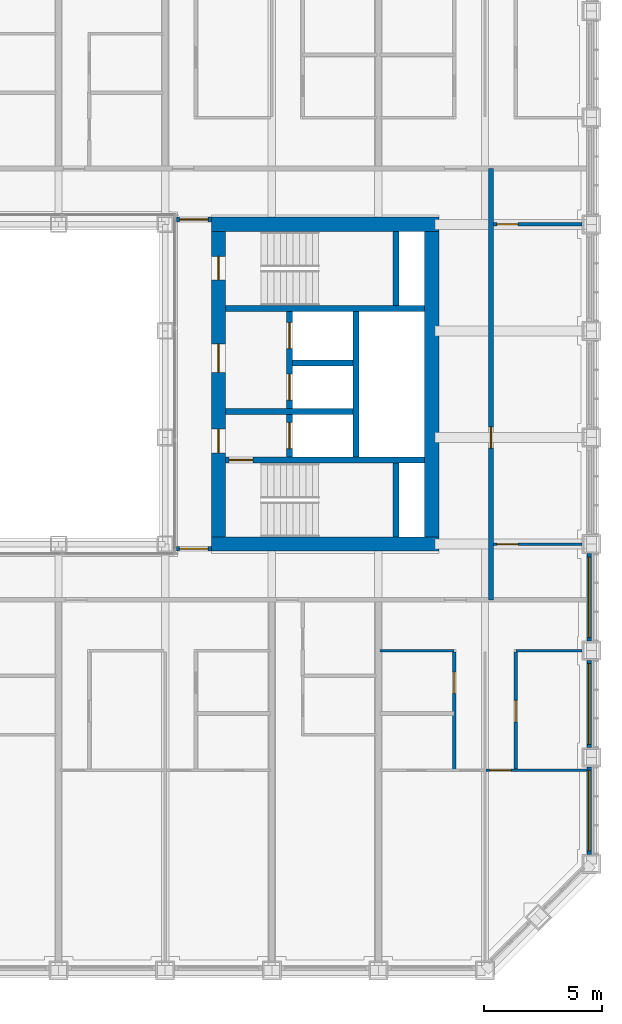
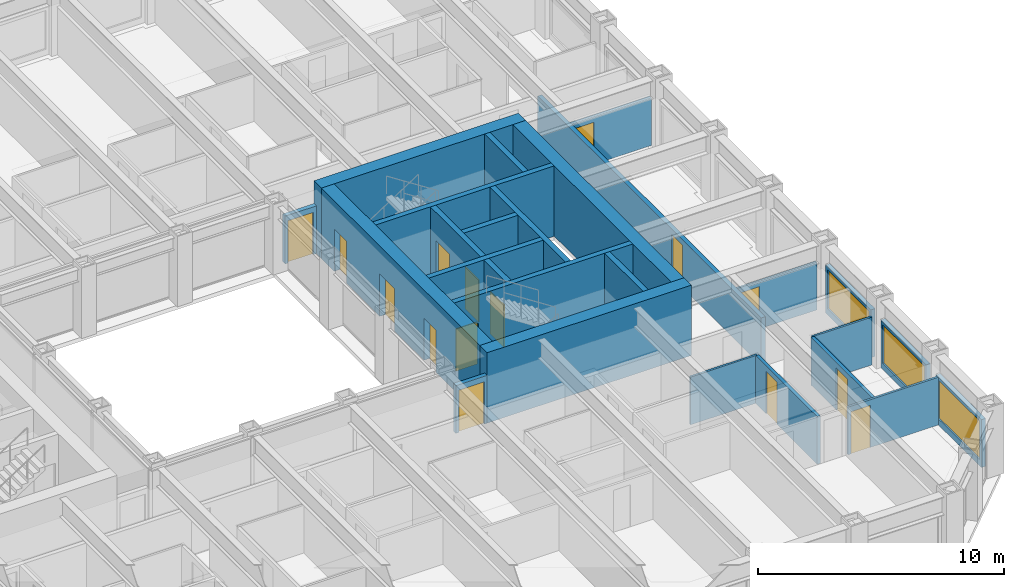
# One storey, part 12 of 21: 25 walls, 15 doors, 3 windows, 18 openings.
"""IFC4 building model written with IfcOpenShell, lengths in metres."""

from ifc_helpers import new_model, si_unit, direction, frame, frame_2d, origin, place, context, subcontext, project, spatial, rectangle, extrude, material, layer, layer_set, type_object, element, fill, save


model = new_model("IFC4")

# Units and contexts
model_context = context("Model", 3, precision=1e-05, world=origin(), true_north=direction((0.0, 1.0)))
body_context = subcontext(model_context, "Body", "Model", "MODEL_VIEW")
ifc_project = project(units=[si_unit("LENGTHUNIT", "METRE"), si_unit("AREAUNIT", "SQUARE_METRE"), si_unit("VOLUMEUNIT", "CUBIC_METRE"), si_unit("PLANEANGLEUNIT", "RADIAN"), si_unit("MASSUNIT", "GRAM", prefix="KILO")], contexts=[model_context])

# Site, building, storey
site_placement = place(None, origin())
site = spatial("IfcSite", under=ifc_project, at=site_placement, CompositionType="ELEMENT")
building_placement = place(site_placement, origin())
building = spatial("IfcBuilding", under=site, at=building_placement, Name="Msasa Ring Tower", CompositionType="ELEMENT")
storey_placement = place(building_placement, frame((0.0, 0.0, 44.0)))
storey = spatial("IfcBuildingStorey", under=building, at=storey_placement, Name="L10", CompositionType="ELEMENT", Elevation=44.0)

# Walls
ifc_material_1 = material(Name="Concrete C60/75", Category="concrete")
ifc_layer_1 = layer(ifc_material_1, 0.60009765625)
ifc_layer_set_1 = layer_set([ifc_layer_1], Name="CW1 CORE WALL 600")
wall_type_1 = type_object("IfcWallType", Name="CW1 CORE WALL 600", PredefinedType="SHEAR", material=ifc_layer_set_1)
for number, where, z_axis, x_axis, name in (
    (1, (8.699951171875, -6.75, 0.0), (0.0, 0.0, 1.0), (1.0, 0.0, 0.0), "E core wall S L10"),
    (2, (8.699951171875, 6.75, 0.0), (0.0, 0.0, 1.0), (1.0, 0.0, 0.0), "E core wall N L10"),
):
    element("IfcWall", number, at=place(storey_placement, frame(where, z_axis=z_axis, x_axis=x_axis)), inside=storey, type_object=wall_type_1, Name=name, PredefinedType="SHEAR", context=body_context, shape_type="SweptSolid", body=[
        extrude(rectangle(XDim=9.60009765625, YDim=0.60009765625, at=frame_2d((4.800048828125, 0.0))), origin(), (0.0, 0.0, 1.0), 3.5),
    ])

# Wall, openings, doors
wall_1_placement = place(storey_placement, frame((9.0, -6.449951171875, 0.0), z_axis=(0.0, 0.0, 1.0), x_axis=(0.0, 1.0, 0.0)))
wall_1 = element("IfcWall", 3, at=wall_1_placement, inside=storey, type_object=wall_type_1, Name="E core wall W L10", PredefinedType="SHEAR", context=body_context, shape_type="SweptSolid", body=[
    extrude(rectangle(XDim=12.89990234375, YDim=0.60009765625, at=frame_2d((6.449951171875, 0.0))), origin(), (0.0, 0.0, 1.0), 3.5),
])
opening_1_placement = place(wall_1_placement, frame((3.550048828125, 0.0, 0.0)))
opening_1 = element("IfcOpeningElement", 4, at=opening_1_placement, cuts=wall_1, Name="Opening RB-046", PredefinedType="OPENING", context=body_context, shape_type="SweptSolid", body=[
    extrude(rectangle(XDim=1.0, YDim=2.10009765625, at=frame_2d((0.5, 1.050048828125))), frame((0.0, 0.31005859375, 0.0), z_axis=(0.0, -1.0, 0.0), x_axis=(1.0, 0.0, 0.0)), (0.0, 0.0, 1.0), 0.6201171875),
])
opening_2_placement = place(wall_1_placement, frame((6.949951171875, 0.0, 0.0)))
opening_2 = element("IfcOpeningElement", 5, at=opening_2_placement, cuts=wall_1, Name="Opening RB-041", PredefinedType="OPENING", context=body_context, shape_type="SweptSolid", body=[
    extrude(rectangle(XDim=1.199951171875, YDim=2.10009765625, at=frame_2d((0.60009765625, 1.050048828125))), frame((0.0, 0.31005859375, 0.0), z_axis=(0.0, -1.0, 0.0), x_axis=(1.0, 0.0, 0.0)), (0.0, 0.0, 1.0), 0.6201171875),
])
opening_3_placement = place(wall_1_placement, frame((10.85009765625, 0.0, 0.0)))
opening_3 = element("IfcOpeningElement", 6, at=opening_3_placement, cuts=wall_1, Name="Opening RB-039", PredefinedType="OPENING", context=body_context, shape_type="SweptSolid", body=[
    extrude(rectangle(XDim=1.0, YDim=2.10009765625, at=frame_2d((0.5, 1.050048828125))), frame((0.0, 0.31005859375, 0.0), z_axis=(0.0, -1.0, 0.0), x_axis=(1.0, 0.0, 0.0)), (0.0, 0.0, 1.0), 0.6201171875),
])
ifc_material_2 = material(Name="Timber door leaf in a steel frame", Category="steel")
door_type_1 = type_object("IfcDoorType", Name="D4 LOBBY DOOR 1000x2100", OperationType="SINGLE_SWING_LEFT", PredefinedType="DOOR", material=ifc_material_2)
door_1_placement = place(opening_1_placement, origin())
door_1 = element("IfcDoor", 7, at=door_1_placement, inside=storey, type_object=door_type_1, Name="Door L10-EFFL", OperationType="SINGLE_SWING_LEFT", OverallHeight=2.10009765625, OverallWidth=1.0, PredefinedType="DOOR", context=body_context, shape_type="SweptSolid", body=[
    extrude(rectangle(XDim=1.0, YDim=2.10009765625, at=frame_2d((0.5, 1.050048828125))), frame((0.0, 0.02490234375, 0.0), z_axis=(0.0, -1.0, 0.0), x_axis=(1.0, 0.0, 0.0)), (0.0, 0.0, 1.0), 0.050048828125),
])
fill(opening_1, door_1)
ifc_material_3 = material(Name="Timber door leaf in a steel frame", Category="steel")
door_type_2 = type_object("IfcDoorType", Name="D5 WIDE LOBBY DOOR 1200x2100", OperationType="SINGLE_SWING_LEFT", PredefinedType="DOOR", material=ifc_material_3)
door_2_placement = place(opening_2_placement, origin())
door_2 = element("IfcDoor", 8, at=door_2_placement, inside=storey, type_object=door_type_2, Name="Door L10-ELL", OperationType="SINGLE_SWING_RIGHT", OverallHeight=2.10009765625, OverallWidth=1.199951171875, PredefinedType="DOOR", context=body_context, shape_type="SweptSolid", body=[
    extrude(rectangle(XDim=1.199951171875, YDim=2.10009765625, at=frame_2d((0.60009765625, 1.050048828125))), frame((0.0, 0.02490234375, 0.0), z_axis=(0.0, -1.0, 0.0), x_axis=(1.0, 0.0, 0.0)), (0.0, 0.0, 1.0), 0.050048828125),
])
fill(opening_2, door_2)
ifc_material_4 = material(Name="Timber door leaf in a steel frame", Category="steel")
door_type_3 = type_object("IfcDoorType", Name="D6 STAIR DOOR 1000x2100", OperationType="SINGLE_SWING_LEFT", PredefinedType="DOOR", material=ifc_material_4)
door_3_placement = place(opening_3_placement, origin())
door_3 = element("IfcDoor", 9, at=door_3_placement, inside=storey, type_object=door_type_3, Name="Door L10-ESTB", OperationType="SINGLE_SWING_RIGHT", OverallHeight=2.10009765625, OverallWidth=1.0, PredefinedType="DOOR", context=body_context, shape_type="SweptSolid", body=[
    extrude(rectangle(XDim=1.0, YDim=2.10009765625, at=frame_2d((0.5, 1.050048828125))), frame((0.0, 0.02490234375, 0.0), z_axis=(0.0, -1.0, 0.0), x_axis=(1.0, 0.0, 0.0)), (0.0, 0.0, 1.0), 0.050048828125),
])
fill(opening_3, door_3)

# Wall
wall_2_placement = place(storey_placement, frame((18.0, -6.449951171875, 0.0), z_axis=(0.0, 0.0, 1.0), x_axis=(0.0, 1.0, 0.0)))
element("IfcWall", 10, at=wall_2_placement, inside=storey, type_object=wall_type_1, Name="E core wall E L10", PredefinedType="SHEAR", context=body_context, shape_type="SweptSolid", body=[
    extrude(rectangle(XDim=12.89990234375, YDim=0.60009765625, at=frame_2d((6.449951171875, 0.0))), origin(), (0.0, 0.0, 1.0), 3.5),
])

# Wall, opening, door
ifc_material_5 = material(Name="Concrete C60/75", Category="concrete")
ifc_layer_2 = layer(ifc_material_5, 0.25)
ifc_layer_set_2 = layer_set([ifc_layer_2], Name="CW4 CORE INNER WALL 250")
wall_type_2 = type_object("IfcWallType", Name="CW4 CORE INNER WALL 250", PredefinedType="SHEAR", material=ifc_layer_set_2)
wall_3_placement = place(storey_placement, frame((9.300048828125, -3.199951171875, 0.0), z_axis=(0.0, 0.0, 1.0), x_axis=(1.0, 0.0, 0.0)))
wall_3 = element("IfcWall", 11, at=wall_3_placement, inside=storey, type_object=wall_type_2, Name="E core wall STAIRA L10", PredefinedType="SHEAR", context=body_context, shape_type="SweptSolid", body=[
    extrude(rectangle(XDim=8.39990234375, YDim=0.25, at=frame_2d((4.199951171875, 0.0))), origin(), (0.0, 0.0, 1.0), 3.5),
])
opening_4_placement = place(wall_3_placement, frame((0.14990234375, 0.0, 0.0)))
opening_4 = element("IfcOpeningElement", 12, at=opening_4_placement, cuts=wall_3, Name="Opening RB-048", PredefinedType="OPENING", context=body_context, shape_type="SweptSolid", body=[
    extrude(rectangle(XDim=1.0, YDim=2.10009765625, at=frame_2d((0.5, 1.050048828125))), frame((0.0, 0.135009765625, 0.0), z_axis=(0.0, -1.0, 0.0), x_axis=(1.0, 0.0, 0.0)), (0.0, 0.0, 1.0), 0.27001953125),
])
door_4_placement = place(opening_4_placement, origin())
door_4 = element("IfcDoor", 13, at=door_4_placement, inside=storey, type_object=door_type_3, Name="Door L10-ESTA", OperationType="SINGLE_SWING_LEFT", OverallHeight=2.10009765625, OverallWidth=1.0, PredefinedType="DOOR", context=body_context, shape_type="SweptSolid", body=[
    extrude(rectangle(XDim=1.0, YDim=2.10009765625, at=frame_2d((0.5, 1.050048828125))), frame((0.0, 0.02490234375, 0.0), z_axis=(0.0, -1.0, 0.0), x_axis=(1.0, 0.0, 0.0)), (0.0, 0.0, 1.0), 0.050048828125),
])
fill(opening_4, door_4)

# Walls
wall_4_placement = place(storey_placement, frame((9.300048828125, 3.199951171875, 0.0), z_axis=(0.0, 0.0, 1.0), x_axis=(1.0, 0.0, 0.0)))
element("IfcWall", 14, at=wall_4_placement, inside=storey, type_object=wall_type_2, Name="E core wall STAIRB L10", PredefinedType="SHEAR", context=body_context, shape_type="SweptSolid", body=[
    extrude(rectangle(XDim=8.39990234375, YDim=0.25, at=frame_2d((4.199951171875, 0.0))), origin(), (0.0, 0.0, 1.0), 3.5),
])
for number, where, z_axis, x_axis, name in (
    (15, (16.5, -6.449951171875, 0.0), (0.0, 0.0, 1.0), (0.0, 1.0, 0.0), "E core wall RISERA L10"),
    (16, (16.5, 3.324951171875, 0.0), (0.0, 0.0, 1.0), (0.0, 1.0, 0.0), "E core wall RISERB L10"),
):
    element("IfcWall", number, at=place(storey_placement, frame(where, z_axis=z_axis, x_axis=x_axis)), inside=storey, type_object=wall_type_2, Name=name, PredefinedType="SHEAR", context=body_context, shape_type="SweptSolid", body=[
        extrude(rectangle(XDim=3.125, YDim=0.25, at=frame_2d((1.5625, 0.0))), origin(), (0.0, 0.0, 1.0), 3.5),
    ])
wall_5_placement = place(storey_placement, frame((9.300048828125, -1.14990234375, 0.0), z_axis=(0.0, 0.0, 1.0), x_axis=(1.0, 0.0, 0.0)))
element("IfcWall", 17, at=wall_5_placement, inside=storey, type_object=wall_type_2, Name="E core wall FFL L10", PredefinedType="SHEAR", context=body_context, shape_type="SweptSolid", body=[
    extrude(rectangle(XDim=5.375, YDim=0.25, at=frame_2d((2.6875, 0.0))), origin(), (0.0, 0.0, 1.0), 3.5),
])

# Wall, openings, doors
wall_6_placement = place(storey_placement, frame((12.0, -3.074951171875, 0.0), z_axis=(0.0, 0.0, 1.0), x_axis=(0.0, 1.0, 0.0)))
wall_6 = element("IfcWall", 18, at=wall_6_placement, inside=storey, type_object=wall_type_2, Name="E core wall LOBBY L10", PredefinedType="SHEAR", context=body_context, shape_type="SweptSolid", body=[
    extrude(rectangle(XDim=6.14990234375, YDim=0.25, at=frame_2d((3.074951171875, 0.0))), origin(), (0.0, 0.0, 1.0), 3.5),
])
opening_5_placement = place(wall_6_placement, frame((0.35009765625, 0.0, 0.0)))
opening_5 = element("IfcOpeningElement", 19, at=opening_5_placement, cuts=wall_6, Name="Opening LD1", PredefinedType="OPENING", context=body_context, shape_type="SweptSolid", body=[
    extrude(rectangle(XDim=1.10009765625, YDim=2.10009765625, at=frame_2d((0.550048828125, 1.050048828125))), frame((0.0, 0.135009765625, 0.0), z_axis=(0.0, -1.0, 0.0), x_axis=(1.0, 0.0, 0.0)), (0.0, 0.0, 1.0), 0.27001953125),
])
opening_6_placement = place(wall_6_placement, frame((2.39990234375, 0.0, 0.0)))
opening_6 = element("IfcOpeningElement", 20, at=opening_6_placement, cuts=wall_6, Name="Opening LD1", PredefinedType="OPENING", context=body_context, shape_type="SweptSolid", body=[
    extrude(rectangle(XDim=1.10009765625, YDim=2.10009765625, at=frame_2d((0.550048828125, 1.050048828125))), frame((0.0, 0.135009765625, 0.0), z_axis=(0.0, -1.0, 0.0), x_axis=(1.0, 0.0, 0.0)), (0.0, 0.0, 1.0), 0.27001953125),
])
opening_7_placement = place(wall_6_placement, frame((4.574951171875, 0.0, 0.0)))
opening_7 = element("IfcOpeningElement", 21, at=opening_7_placement, cuts=wall_6, Name="Opening LD1", PredefinedType="OPENING", context=body_context, shape_type="SweptSolid", body=[
    extrude(rectangle(XDim=1.10009765625, YDim=2.10009765625, at=frame_2d((0.550048828125, 1.050048828125))), frame((0.0, 0.135009765625, 0.0), z_axis=(0.0, -1.0, 0.0), x_axis=(1.0, 0.0, 0.0)), (0.0, 0.0, 1.0), 0.27001953125),
])
ifc_material_6 = material(Name="Stainless steel lift landing door", Category="steel")
door_type_4 = type_object("IfcDoorType", Name="LD1 LIFT LANDING DOOR 1100x2100", OperationType="DOUBLE_DOOR_SLIDING", PredefinedType="DOOR", material=ifc_material_6)
door_5_placement = place(opening_5_placement, origin())
door_5 = element("IfcDoor", 22, at=door_5_placement, inside=storey, type_object=door_type_4, Name="Lift landing door FL-E L10", OperationType="DOUBLE_DOOR_SLIDING", OverallHeight=2.10009765625, OverallWidth=1.10009765625, PredefinedType="DOOR", context=body_context, shape_type="SweptSolid", body=[
    extrude(rectangle(XDim=1.10009765625, YDim=2.10009765625, at=frame_2d((0.550048828125, 1.050048828125))), frame((0.0, 0.02490234375, 0.0), z_axis=(0.0, -1.0, 0.0), x_axis=(1.0, 0.0, 0.0)), (0.0, 0.0, 1.0), 0.050048828125),
])
fill(opening_5, door_5)
door_6_placement = place(opening_6_placement, origin())
door_6 = element("IfcDoor", 23, at=door_6_placement, inside=storey, type_object=door_type_4, Name="Lift landing door PL-R1 L10", OperationType="DOUBLE_DOOR_SLIDING", OverallHeight=2.10009765625, OverallWidth=1.10009765625, PredefinedType="DOOR", context=body_context, shape_type="SweptSolid", body=[
    extrude(rectangle(XDim=1.10009765625, YDim=2.10009765625, at=frame_2d((0.550048828125, 1.050048828125))), frame((0.0, 0.02490234375, 0.0), z_axis=(0.0, -1.0, 0.0), x_axis=(1.0, 0.0, 0.0)), (0.0, 0.0, 1.0), 0.050048828125),
])
fill(opening_6, door_6)
door_7_placement = place(opening_7_placement, origin())
door_7 = element("IfcDoor", 24, at=door_7_placement, inside=storey, type_object=door_type_4, Name="Lift landing door PL-R2 L10", OperationType="DOUBLE_DOOR_SLIDING", OverallHeight=2.10009765625, OverallWidth=1.10009765625, PredefinedType="DOOR", context=body_context, shape_type="SweptSolid", body=[
    extrude(rectangle(XDim=1.10009765625, YDim=2.10009765625, at=frame_2d((0.550048828125, 1.050048828125))), frame((0.0, 0.02490234375, 0.0), z_axis=(0.0, -1.0, 0.0), x_axis=(1.0, 0.0, 0.0)), (0.0, 0.0, 1.0), 0.050048828125),
])
fill(opening_7, door_7)

# Walls
wall_7_placement = place(storey_placement, frame((14.800048828125, -3.074951171875, 0.0), z_axis=(0.0, 0.0, 1.0), x_axis=(0.0, 1.0, 0.0)))
element("IfcWall", 25, at=wall_7_placement, inside=storey, type_object=wall_type_2, Name="E core wall SHAFT L10", PredefinedType="SHEAR", context=body_context, shape_type="SweptSolid", body=[
    extrude(rectangle(XDim=6.14990234375, YDim=0.25, at=frame_2d((3.074951171875, 0.0))), origin(), (0.0, 0.0, 1.0), 3.5),
])
wall_8_placement = place(storey_placement, frame((12.125, 0.89990234375, 0.0), z_axis=(0.0, 0.0, 1.0), x_axis=(1.0, 0.0, 0.0)))
element("IfcWall", 26, at=wall_8_placement, inside=storey, type_object=wall_type_2, Name="E core wall LIFT1 L10", PredefinedType="SHEAR", context=body_context, shape_type="SweptSolid", body=[
    extrude(rectangle(XDim=2.550048828125, YDim=0.25, at=frame_2d((1.27490234375, 0.0))), origin(), (0.0, 0.0, 1.0), 3.5),
])

# Wall, opening, window
ifc_material_7 = material(Name="Terracotta rainscreen on blockwork", Category="masonry")
ifc_layer_3 = layer(ifc_material_7, 0.199951171875)
ifc_layer_set_3 = layer_set([ifc_layer_3], Name="FW1 TERRACOTTA-LINED INFILL BAY WALL 200")
wall_type_3 = type_object("IfcWallType", Name="FW1 TERRACOTTA-LINED INFILL BAY WALL 200", PredefinedType="SOLIDWALL", material=ifc_layer_set_3)
wall_9_placement = place(storey_placement, frame((24.64990234375, -19.844970703125, 0.0), z_axis=(0.0, 0.0, 1.0), x_axis=(0.0, 1.0, 0.0)))
wall_9 = element("IfcWall", 27, at=wall_9_placement, inside=storey, type_object=wall_type_3, Name="Infill bay wall E L10 11", PredefinedType="SOLIDWALL", context=body_context, shape_type="SweptSolid", body=[
    extrude(rectangle(XDim=3.68994140625, YDim=0.199951171875, at=frame_2d((1.844970703125, 0.0))), origin(), (0.0, 0.0, 1.0), 2.37890625),
])
opening_8_placement = place(wall_9_placement, frame((0.14501953125, 0.0, 0.300048828125)))
opening_8 = element("IfcOpeningElement", 28, at=opening_8_placement, cuts=wall_9, Name="Opening WN1", PredefinedType="OPENING", context=body_context, shape_type="SweptSolid", body=[
    extrude(rectangle(XDim=3.39990234375, YDim=1.928955078125, at=frame_2d((1.699951171875, 0.96435546875))), frame((0.0, 0.10986328125, 0.0), z_axis=(0.0, -1.0, 0.0), x_axis=(1.0, 0.0, 0.0)), (0.0, 0.0, 1.0), 0.219970703125),
])
ifc_material_8 = material(Name="Aluminium frame with clear glass", Category="aluminium")
window_type = type_object("IfcWindowType", Name="WN1 RESIDENCE WINDOW 3400x1929", PartitioningType="SINGLE_PANEL", PredefinedType="WINDOW", material=ifc_material_8)
window_1_placement = place(opening_8_placement, origin())
window_1 = element("IfcWindow", 29, at=window_1_placement, inside=storey, type_object=window_type, Name="Window E L10 11", OverallHeight=1.928955078125, OverallWidth=3.39990234375, PartitioningType="SINGLE_PANEL", PredefinedType="WINDOW", context=body_context, shape_type="SweptSolid", body=[
    extrude(rectangle(XDim=3.39990234375, YDim=1.928955078125, at=frame_2d((1.699951171875, 0.96435546875))), frame((0.0, 0.030029296875, 0.0), z_axis=(0.0, -1.0, 0.0), x_axis=(1.0, 0.0, 0.0)), (0.0, 0.0, 1.0), 0.06005859375),
])
fill(opening_8, window_1)

wall_10_placement = place(storey_placement, frame((24.64990234375, -15.344970703125, 0.0), z_axis=(0.0, 0.0, 1.0), x_axis=(0.0, 1.0, 0.0)))
wall_10 = element("IfcWall", 30, at=wall_10_placement, inside=storey, type_object=wall_type_3, Name="Infill bay wall E L10 12", PredefinedType="SOLIDWALL", context=body_context, shape_type="SweptSolid", body=[
    extrude(rectangle(XDim=3.68994140625, YDim=0.199951171875, at=frame_2d((1.844970703125, 0.0))), origin(), (0.0, 0.0, 1.0), 2.37890625),
])
opening_9_placement = place(wall_10_placement, frame((0.14501953125, 0.0, 0.300048828125)))
opening_9 = element("IfcOpeningElement", 31, at=opening_9_placement, cuts=wall_10, Name="Opening WN1", PredefinedType="OPENING", context=body_context, shape_type="SweptSolid", body=[
    extrude(rectangle(XDim=3.39990234375, YDim=1.928955078125, at=frame_2d((1.699951171875, 0.96435546875))), frame((0.0, 0.10986328125, 0.0), z_axis=(0.0, -1.0, 0.0), x_axis=(1.0, 0.0, 0.0)), (0.0, 0.0, 1.0), 0.219970703125),
])
window_2_placement = place(opening_9_placement, origin())
window_2 = element("IfcWindow", 32, at=window_2_placement, inside=storey, type_object=window_type, Name="Window E L10 12", OverallHeight=1.928955078125, OverallWidth=3.39990234375, PartitioningType="SINGLE_PANEL", PredefinedType="WINDOW", context=body_context, shape_type="SweptSolid", body=[
    extrude(rectangle(XDim=3.39990234375, YDim=1.928955078125, at=frame_2d((1.699951171875, 0.96435546875))), frame((0.0, 0.030029296875, 0.0), z_axis=(0.0, -1.0, 0.0), x_axis=(1.0, 0.0, 0.0)), (0.0, 0.0, 1.0), 0.06005859375),
])
fill(opening_9, window_2)

wall_11_placement = place(storey_placement, frame((24.64990234375, -10.844970703125, 0.0), z_axis=(0.0, 0.0, 1.0), x_axis=(0.0, 1.0, 0.0)))
wall_11 = element("IfcWall", 33, at=wall_11_placement, inside=storey, type_object=wall_type_3, Name="Infill bay wall E L10 13", PredefinedType="SOLIDWALL", context=body_context, shape_type="SweptSolid", body=[
    extrude(rectangle(XDim=3.68994140625, YDim=0.199951171875, at=frame_2d((1.844970703125, 0.0))), origin(), (0.0, 0.0, 1.0), 2.37890625),
])
opening_10_placement = place(wall_11_placement, frame((0.14501953125, 0.0, 0.300048828125)))
opening_10 = element("IfcOpeningElement", 34, at=opening_10_placement, cuts=wall_11, Name="Opening WN1", PredefinedType="OPENING", context=body_context, shape_type="SweptSolid", body=[
    extrude(rectangle(XDim=3.39990234375, YDim=1.928955078125, at=frame_2d((1.699951171875, 0.96435546875))), frame((0.0, 0.10986328125, 0.0), z_axis=(0.0, -1.0, 0.0), x_axis=(1.0, 0.0, 0.0)), (0.0, 0.0, 1.0), 0.219970703125),
])
window_3_placement = place(opening_10_placement, origin())
window_3 = element("IfcWindow", 35, at=window_3_placement, inside=storey, type_object=window_type, Name="Window E L10 13", OverallHeight=1.928955078125, OverallWidth=3.39990234375, PartitioningType="SINGLE_PANEL", PredefinedType="WINDOW", context=body_context, shape_type="SweptSolid", body=[
    extrude(rectangle(XDim=3.39990234375, YDim=1.928955078125, at=frame_2d((1.699951171875, 0.96435546875))), frame((0.0, 0.030029296875, 0.0), z_axis=(0.0, -1.0, 0.0), x_axis=(1.0, 0.0, 0.0)), (0.0, 0.0, 1.0), 0.06005859375),
])
fill(opening_10, window_3)

# Wall, opening, door
ifc_material_9 = material(Name="Concrete blockwork", Category="masonry")
ifc_layer_4 = layer(ifc_material_9, 0.199951171875)
ifc_layer_set_4 = layer_set([ifc_layer_4], Name="PT1 CORRIDOR WALL 200")
wall_type_4 = type_object("IfcWallType", Name="PT1 CORRIDOR WALL 200", PredefinedType="PARTITIONING", material=ifc_layer_set_4)
wall_12_placement = place(storey_placement, frame((7.22998046875, 6.949951171875, 0.0), z_axis=(0.0, 0.0, 1.0), x_axis=(1.0, 0.0, 0.0)))
wall_12 = element("IfcWall", 36, at=wall_12_placement, inside=storey, type_object=wall_type_4, Name="Corridor wall L10-SDEN", PredefinedType="PARTITIONING", context=body_context, shape_type="SweptSolid", body=[
    extrude(rectangle(XDim=1.469970703125, YDim=0.199951171875, at=frame_2d((0.73486328125, 0.0))), origin(), (0.0, 0.0, 1.0), 2.373291015625),
])
opening_11_placement = place(wall_12_placement, frame((0.135009765625, 0.0, 0.0)))
opening_11 = element("IfcOpeningElement", 37, at=opening_11_placement, cuts=wall_12, Name="Opening RB-035", PredefinedType="OPENING", context=body_context, shape_type="SweptSolid", body=[
    extrude(rectangle(XDim=1.199951171875, YDim=2.10009765625, at=frame_2d((0.60009765625, 1.050048828125))), frame((0.0, 0.10986328125, 0.0), z_axis=(0.0, -1.0, 0.0), x_axis=(1.0, 0.0, 0.0)), (0.0, 0.0, 1.0), 0.219970703125),
])
ifc_material_10 = material(Name="Timber door leaf in a steel frame", Category="steel")
door_type_5 = type_object("IfcDoorType", Name="D25 CORRIDOR PAIR OF SMOKE DOORS 1200x2100", OperationType="DOUBLE_DOOR_DOUBLE_SWING", PredefinedType="DOOR", material=ifc_material_10)
door_8_placement = place(opening_11_placement, origin())
door_8 = element("IfcDoor", 38, at=door_8_placement, inside=storey, type_object=door_type_5, Name="Door L10-SDEN", OperationType="DOUBLE_DOOR_DOUBLE_SWING", OverallHeight=2.10009765625, OverallWidth=1.199951171875, PredefinedType="DOOR", context=body_context, shape_type="SweptSolid", body=[
    extrude(rectangle(XDim=1.199951171875, YDim=2.10009765625, at=frame_2d((0.60009765625, 1.050048828125))), frame((0.0, 0.02490234375, 0.0), z_axis=(0.0, -1.0, 0.0), x_axis=(1.0, 0.0, 0.0)), (0.0, 0.0, 1.0), 0.050048828125),
])
fill(opening_11, door_8)

wall_13_placement = place(storey_placement, frame((7.22998046875, -6.949951171875, 0.0), z_axis=(0.0, 0.0, 1.0), x_axis=(1.0, 0.0, 0.0)))
wall_13 = element("IfcWall", 39, at=wall_13_placement, inside=storey, type_object=wall_type_4, Name="Corridor wall L10-SDES", PredefinedType="PARTITIONING", context=body_context, shape_type="SweptSolid", body=[
    extrude(rectangle(XDim=1.469970703125, YDim=0.199951171875, at=frame_2d((0.73486328125, 0.0))), origin(), (0.0, 0.0, 1.0), 2.373291015625),
])
opening_12_placement = place(wall_13_placement, frame((0.135009765625, 0.0, 0.0)))
opening_12 = element("IfcOpeningElement", 40, at=opening_12_placement, cuts=wall_13, Name="Opening RB-052", PredefinedType="OPENING", context=body_context, shape_type="SweptSolid", body=[
    extrude(rectangle(XDim=1.199951171875, YDim=2.10009765625, at=frame_2d((0.60009765625, 1.050048828125))), frame((0.0, 0.10986328125, 0.0), z_axis=(0.0, -1.0, 0.0), x_axis=(1.0, 0.0, 0.0)), (0.0, 0.0, 1.0), 0.219970703125),
])
door_9_placement = place(opening_12_placement, origin())
door_9 = element("IfcDoor", 41, at=door_9_placement, inside=storey, type_object=door_type_5, Name="Door L10-SDES", OperationType="DOUBLE_DOOR_DOUBLE_SWING", OverallHeight=2.10009765625, OverallWidth=1.199951171875, PredefinedType="DOOR", context=body_context, shape_type="SweptSolid", body=[
    extrude(rectangle(XDim=1.199951171875, YDim=2.10009765625, at=frame_2d((0.60009765625, 1.050048828125))), frame((0.0, 0.02490234375, 0.0), z_axis=(0.0, -1.0, 0.0), x_axis=(1.0, 0.0, 0.0)), (0.0, 0.0, 1.0), 0.050048828125),
])
fill(opening_12, door_9)

wall_14_placement = place(storey_placement, frame((20.5, -9.10009765625, 0.0), z_axis=(0.0, 0.0, 1.0), x_axis=(0.0, 1.0, 0.0)))
wall_14 = element("IfcWall", 42, at=wall_14_placement, inside=storey, type_object=wall_type_4, Name="Corridor wall L10-STRE", PredefinedType="PARTITIONING", context=body_context, shape_type="SweptSolid", body=[
    extrude(rectangle(XDim=18.2001953125, YDim=0.199951171875, at=frame_2d((9.10009765625, 0.0))), origin(), (0.0, 0.0, 1.0), 2.373291015625),
])
opening_13_placement = place(wall_14_placement, frame((6.39990234375, 0.0, 0.0)))
opening_13 = element("IfcOpeningElement", 43, at=opening_13_placement, cuts=wall_14, Name="Opening RB-044", PredefinedType="OPENING", context=body_context, shape_type="SweptSolid", body=[
    extrude(rectangle(XDim=0.89990234375, YDim=2.10009765625, at=frame_2d((0.449951171875, 1.050048828125))), frame((0.0, 0.10986328125, 0.0), z_axis=(0.0, -1.0, 0.0), x_axis=(1.0, 0.0, 0.0)), (0.0, 0.0, 1.0), 0.219970703125),
])
ifc_material_11 = material(Name="Timber door leaf in a steel frame", Category="steel")
door_type_6 = type_object("IfcDoorType", Name="D2 ENTRANCE DOOR 900x2100", OperationType="SINGLE_SWING_LEFT", PredefinedType="DOOR", material=ifc_material_11)
door_10_placement = place(opening_13_placement, origin())
door_10 = element("IfcDoor", 44, at=door_10_placement, inside=storey, type_object=door_type_6, Name="Door L10-STE", OperationType="SINGLE_SWING_LEFT", OverallHeight=2.10009765625, OverallWidth=0.89990234375, PredefinedType="DOOR", context=body_context, shape_type="SweptSolid", body=[
    extrude(rectangle(XDim=0.89990234375, YDim=2.10009765625, at=frame_2d((0.449951171875, 1.050048828125))), frame((0.0, 0.02490234375, 0.0), z_axis=(0.0, -1.0, 0.0), x_axis=(1.0, 0.0, 0.0)), (0.0, 0.0, 1.0), 0.050048828125),
])
fill(opening_13, door_10)

# Wall
ifc_material_12 = material(Name="Gypsum board on steel studs", Category="steel")
ifc_layer_5 = layer(ifc_material_12, 0.10009765625)
ifc_layer_set_5 = layer_set([ifc_layer_5], Name="PT2 STUD PARTITION 100")
wall_type_5 = type_object("IfcWallType", Name="PT2 STUD PARTITION 100", PredefinedType="PARTITIONING", material=ifc_layer_set_5)
wall_15_placement = place(storey_placement, frame((21.550048828125, -11.25, 0.0), z_axis=(0.0, 0.0, 1.0), x_axis=(1.0, 0.0, 0.0)))
element("IfcWall", 45, at=wall_15_placement, inside=storey, type_object=wall_type_5, Name="Partition L10-US06HY0", PredefinedType="PARTITIONING", context=body_context, shape_type="SweptSolid", body=[
    extrude(rectangle(XDim=2.800048828125, YDim=0.10009765625, at=frame_2d((1.39990234375, 0.0))), origin(), (0.0, 0.0, 1.0), 2.373291015625),
])

# Wall, opening, door
wall_16_placement = place(storey_placement, frame((20.300048828125, -16.300048828125, 0.0), z_axis=(0.0, 0.0, 1.0), x_axis=(1.0, 0.0, 0.0)))
wall_16 = element("IfcWall", 46, at=wall_16_placement, inside=storey, type_object=wall_type_5, Name="Partition L10-US06SY0", PredefinedType="PARTITIONING", context=body_context, shape_type="SweptSolid", body=[
    extrude(rectangle(XDim=4.25, YDim=0.10009765625, at=frame_2d((2.125, 0.0))), origin(), (0.0, 0.0, 1.0), 2.373291015625),
])
opening_14_placement = place(wall_16_placement, frame((0.14990234375, 0.0, 0.0)))
opening_14 = element("IfcOpeningElement", 47, at=opening_14_placement, cuts=wall_16, Name="Opening RB-085", PredefinedType="OPENING", context=body_context, shape_type="SweptSolid", body=[
    extrude(rectangle(XDim=0.89990234375, YDim=2.10009765625, at=frame_2d((0.449951171875, 1.050048828125))), frame((0.0, 0.06005859375, 0.0), z_axis=(0.0, -1.0, 0.0), x_axis=(1.0, 0.0, 0.0)), (0.0, 0.0, 1.0), 0.1201171875),
])
ifc_material_13 = material(Name="Timber door leaf in a steel frame", Category="steel")
door_type_7 = type_object("IfcDoorType", Name="D22 INTERNAL HALL DOOR 900x2100", OperationType="SINGLE_SWING_LEFT", PredefinedType="DOOR", material=ifc_material_13)
door_11_placement = place(opening_14_placement, origin())
door_11 = element("IfcDoor", 48, at=door_11_placement, inside=storey, type_object=door_type_7, Name="Door L10-US06L", OperationType="SINGLE_SWING_LEFT", OverallHeight=2.10009765625, OverallWidth=0.89990234375, PredefinedType="DOOR", context=body_context, shape_type="SweptSolid", body=[
    extrude(rectangle(XDim=0.89990234375, YDim=2.10009765625, at=frame_2d((0.449951171875, 1.050048828125))), frame((0.0, 0.02490234375, 0.0), z_axis=(0.0, -1.0, 0.0), x_axis=(1.0, 0.0, 0.0)), (0.0, 0.0, 1.0), 0.050048828125),
])
fill(opening_14, door_11)

# Wall
wall_17_placement = place(storey_placement, frame((15.81005859375, -11.25, 0.0), z_axis=(0.0, 0.0, 1.0), x_axis=(1.0, 0.0, 0.0)))
element("IfcWall", 49, at=wall_17_placement, inside=storey, type_object=wall_type_5, Name="Partition L10-US06HY1", PredefinedType="PARTITIONING", context=body_context, shape_type="SweptSolid", body=[
    extrude(rectangle(XDim=3.139892578125, YDim=0.10009765625, at=frame_2d((1.56982421875, 0.0))), origin(), (0.0, 0.0, 1.0), 2.373291015625),
])

# Wall, opening, door
wall_18_placement = place(storey_placement, frame((20.60009765625, -6.75, 0.0), z_axis=(0.0, 0.0, 1.0), x_axis=(1.0, 0.0, 0.0)))
wall_18 = element("IfcWall", 50, at=wall_18_placement, inside=storey, type_object=wall_type_5, Name="Partition L10-STEKY", PredefinedType="PARTITIONING", context=body_context, shape_type="SweptSolid", body=[
    extrude(rectangle(XDim=3.75, YDim=0.10009765625, at=frame_2d((1.875, 0.0))), origin(), (0.0, 0.0, 1.0), 2.373291015625),
])
opening_15_placement = place(wall_18_placement, frame((0.14990234375, 0.0, 0.0)))
opening_15 = element("IfcOpeningElement", 51, at=opening_15_placement, cuts=wall_18, Name="Opening RB-050", PredefinedType="OPENING", context=body_context, shape_type="SweptSolid", body=[
    extrude(rectangle(XDim=0.89990234375, YDim=2.10009765625, at=frame_2d((0.449951171875, 1.050048828125))), frame((0.0, 0.06005859375, 0.0), z_axis=(0.0, -1.0, 0.0), x_axis=(1.0, 0.0, 0.0)), (0.0, 0.0, 1.0), 0.1201171875),
])
door_12_placement = place(opening_15_placement, origin())
door_12 = element("IfcDoor", 52, at=door_12_placement, inside=storey, type_object=door_type_7, Name="Door L10-STEK", OperationType="SINGLE_SWING_LEFT", OverallHeight=2.10009765625, OverallWidth=0.89990234375, PredefinedType="DOOR", context=body_context, shape_type="SweptSolid", body=[
    extrude(rectangle(XDim=0.89990234375, YDim=2.10009765625, at=frame_2d((0.449951171875, 1.050048828125))), frame((0.0, 0.02490234375, 0.0), z_axis=(0.0, -1.0, 0.0), x_axis=(1.0, 0.0, 0.0)), (0.0, 0.0, 1.0), 0.050048828125),
])
fill(opening_15, door_12)

ifc_material_14 = material(Name="Moisture-resistant board on steel studs with a concealed cistern and pipe void, tiled", Category="steel")
ifc_layer_6 = layer(ifc_material_14, 0.14990234375)
ifc_layer_set_6 = layer_set([ifc_layer_6], Name="PT4 BATHROOM WET WALL 150")
wall_type_6 = type_object("IfcWallType", Name="PT4 BATHROOM WET WALL 150", PredefinedType="PARTITIONING", material=ifc_layer_set_6)
wall_19_placement = place(storey_placement, frame((21.550048828125, -16.300048828125, 0.0), z_axis=(0.0, 0.0, 1.0), x_axis=(0.0, 1.0, 0.0)))
wall_19 = element("IfcWall", 53, at=wall_19_placement, inside=storey, type_object=wall_type_6, Name="Partition L10-US06SX0", PredefinedType="PARTITIONING", context=body_context, shape_type="SweptSolid", body=[
    extrude(rectangle(XDim=5.0, YDim=0.14990234375, at=frame_2d((2.5, 0.0))), origin(), (0.0, 0.0, 1.0), 2.373291015625),
])
opening_16_placement = place(wall_19_placement, frame((2.050048828125, 0.0, 0.0)))
opening_16 = element("IfcOpeningElement", 54, at=opening_16_placement, cuts=wall_19, Name="Opening RB-073", PredefinedType="OPENING", context=body_context, shape_type="SweptSolid", body=[
    extrude(rectangle(XDim=0.89990234375, YDim=2.10009765625, at=frame_2d((0.449951171875, 1.050048828125))), frame((0.0, 0.0849609375, 0.0), z_axis=(0.0, -1.0, 0.0), x_axis=(1.0, 0.0, 0.0)), (0.0, 0.0, 1.0), 0.169921875),
])
door_13_placement = place(opening_16_placement, origin())
door_13 = element("IfcDoor", 55, at=door_13_placement, inside=storey, type_object=door_type_7, Name="Door L10-US06K", OperationType="SINGLE_SWING_LEFT", OverallHeight=2.10009765625, OverallWidth=0.89990234375, PredefinedType="DOOR", context=body_context, shape_type="SweptSolid", body=[
    extrude(rectangle(XDim=0.89990234375, YDim=2.10009765625, at=frame_2d((0.449951171875, 1.050048828125))), frame((0.0, 0.02490234375, 0.0), z_axis=(0.0, -1.0, 0.0), x_axis=(1.0, 0.0, 0.0)), (0.0, 0.0, 1.0), 0.050048828125),
])
fill(opening_16, door_13)

wall_20_placement = place(storey_placement, frame((18.949951171875, -16.300048828125, 0.0), z_axis=(0.0, 0.0, 1.0), x_axis=(0.0, 1.0, 0.0)))
wall_20 = element("IfcWall", 56, at=wall_20_placement, inside=storey, type_object=wall_type_6, Name="Partition L10-US06SX1", PredefinedType="PARTITIONING", context=body_context, shape_type="SweptSolid", body=[
    extrude(rectangle(XDim=5.0, YDim=0.14990234375, at=frame_2d((2.5, 0.0))), origin(), (0.0, 0.0, 1.0), 2.373291015625),
])
opening_17_placement = place(wall_20_placement, frame((3.25, 0.0, 0.0)))
opening_17 = element("IfcOpeningElement", 57, at=opening_17_placement, cuts=wall_20, Name="Opening RB-066", PredefinedType="OPENING", context=body_context, shape_type="SweptSolid", body=[
    extrude(rectangle(XDim=0.89990234375, YDim=2.10009765625, at=frame_2d((0.449951171875, 1.050048828125))), frame((0.0, 0.0849609375, 0.0), z_axis=(0.0, -1.0, 0.0), x_axis=(1.0, 0.0, 0.0)), (0.0, 0.0, 1.0), 0.169921875),
])
ifc_material_15 = material(Name="Timber door leaf in a steel frame", Category="steel")
door_type_8 = type_object("IfcDoorType", Name="D3 BATHROOM DOOR 900x2100", OperationType="SINGLE_SWING_LEFT", PredefinedType="DOOR", material=ifc_material_15)
door_14_placement = place(opening_17_placement, origin())
door_14 = element("IfcDoor", 58, at=door_14_placement, inside=storey, type_object=door_type_8, Name="Door L10-US06B1", OperationType="SINGLE_SWING_RIGHT", OverallHeight=2.10009765625, OverallWidth=0.89990234375, PredefinedType="DOOR", context=body_context, shape_type="SweptSolid", body=[
    extrude(rectangle(XDim=0.89990234375, YDim=2.10009765625, at=frame_2d((0.449951171875, 1.050048828125))), frame((0.0, 0.02490234375, 0.0), z_axis=(0.0, -1.0, 0.0), x_axis=(1.0, 0.0, 0.0)), (0.0, 0.0, 1.0), 0.050048828125),
])
fill(opening_17, door_14)

wall_21_placement = place(storey_placement, frame((20.60009765625, 6.75, 0.0), z_axis=(0.0, 0.0, 1.0), x_axis=(1.0, 0.0, 0.0)))
wall_21 = element("IfcWall", 59, at=wall_21_placement, inside=storey, type_object=wall_type_6, Name="Partition L10-STEBY", PredefinedType="PARTITIONING", context=body_context, shape_type="SweptSolid", body=[
    extrude(rectangle(XDim=3.75, YDim=0.14990234375, at=frame_2d((1.875, 0.0))), origin(), (0.0, 0.0, 1.0), 2.373291015625),
])
opening_18_placement = place(wall_21_placement, frame((0.14990234375, 0.0, 0.0)))
opening_18 = element("IfcOpeningElement", 60, at=opening_18_placement, cuts=wall_21, Name="Opening RB-037", PredefinedType="OPENING", context=body_context, shape_type="SweptSolid", body=[
    extrude(rectangle(XDim=0.89990234375, YDim=2.10009765625, at=frame_2d((0.449951171875, 1.050048828125))), frame((0.0, 0.0849609375, 0.0), z_axis=(0.0, -1.0, 0.0), x_axis=(1.0, 0.0, 0.0)), (0.0, 0.0, 1.0), 0.169921875),
])
door_15_placement = place(opening_18_placement, origin())
door_15 = element("IfcDoor", 61, at=door_15_placement, inside=storey, type_object=door_type_8, Name="Door L10-STEB", OperationType="SINGLE_SWING_LEFT", OverallHeight=2.10009765625, OverallWidth=0.89990234375, PredefinedType="DOOR", context=body_context, shape_type="SweptSolid", body=[
    extrude(rectangle(XDim=0.89990234375, YDim=2.10009765625, at=frame_2d((0.449951171875, 1.050048828125))), frame((0.0, 0.02490234375, 0.0), z_axis=(0.0, -1.0, 0.0), x_axis=(1.0, 0.0, 0.0)), (0.0, 0.0, 1.0), 0.050048828125),
])
fill(opening_18, door_15)

save(model, "model.ifc")
